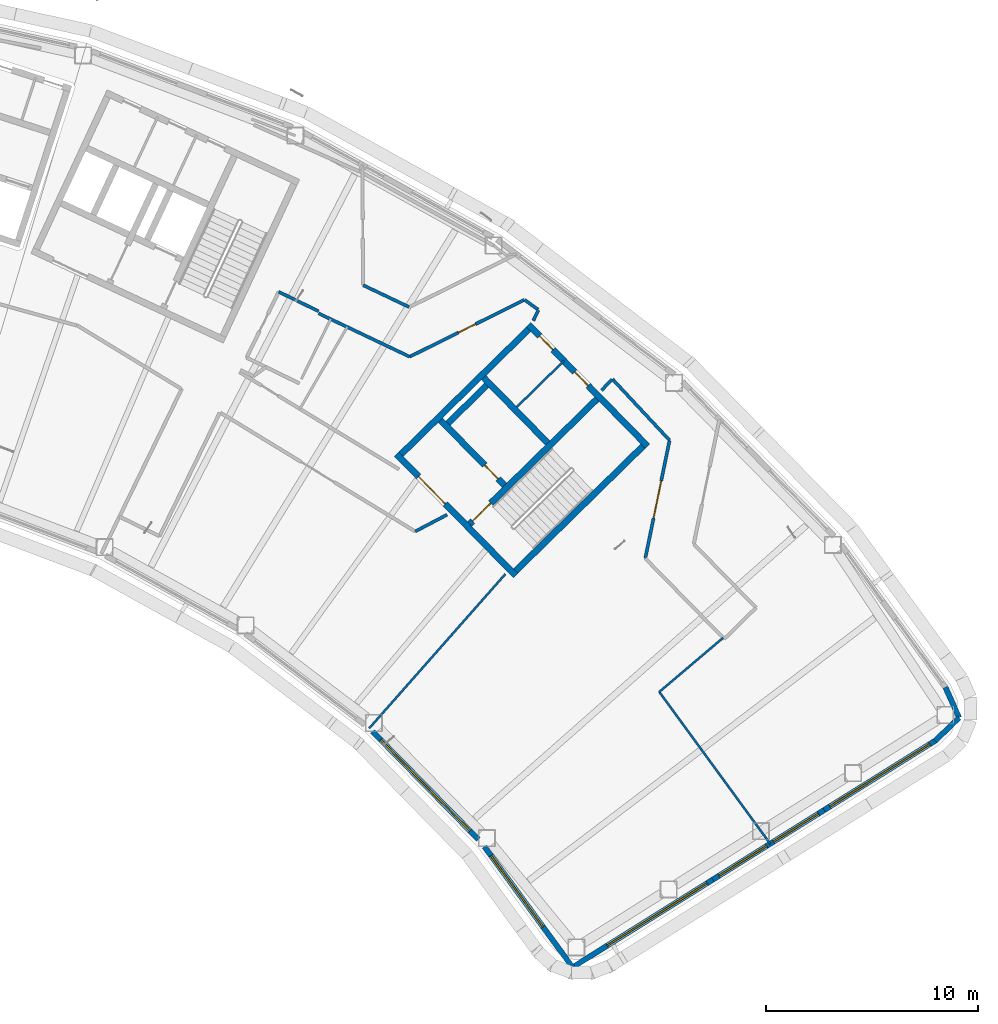
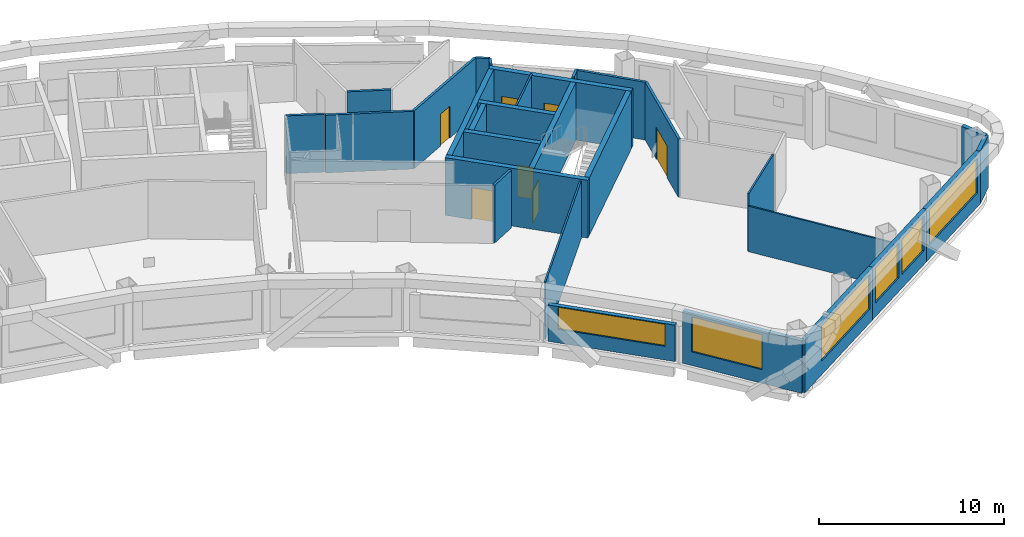
# One storey, part 8 of 21: 29 walls, 7 doors, 6 windows, 13 openings.
"""IFC4 building model written with IfcOpenShell, lengths in metres."""

from ifc_helpers import new_model, si_unit, direction, frame, frame_2d, origin, place, context, subcontext, project, spatial, rectangle, extrude, material, layer, layer_set, type_object, element, fill, save


model = new_model("IFC4")

# Units and contexts
model_context = context("Model", 3, precision=1e-05, world=origin(), true_north=direction((0.0, 1.0)))
body_context = subcontext(model_context, "Body", "Model", "MODEL_VIEW")
ifc_project = project(units=[si_unit("LENGTHUNIT", "METRE"), si_unit("AREAUNIT", "SQUARE_METRE"), si_unit("VOLUMEUNIT", "CUBIC_METRE"), si_unit("PLANEANGLEUNIT", "RADIAN"), si_unit("MASSUNIT", "GRAM", prefix="KILO")], contexts=[model_context])

# Site, building, storey
site_placement = place(None, origin())
site = spatial("IfcSite", under=ifc_project, at=site_placement, CompositionType="ELEMENT")
building_placement = place(site_placement, origin())
building = spatial("IfcBuilding", under=site, at=building_placement, Name="Tuul Gate Civic Tower", CompositionType="ELEMENT")
storey_placement = place(building_placement, frame((0.0, 0.0, 311.0)))
storey = spatial("IfcBuildingStorey", under=building, at=storey_placement, Name="Level 70", CompositionType="ELEMENT", Elevation=311.0)

# Wall, opening, door
ifc_material_1 = material(Name="Concrete C50/60", Category="concrete")
ifc_layer_1 = layer(ifc_material_1, 0.300048828125)
ifc_layer_set_1 = layer_set([ifc_layer_1], Name="Concrete C50/60")
wall_type_1 = type_object("IfcWallType", Name="Core wall C50/60", PredefinedType="SHEAR", material=ifc_layer_set_1)
wall_1_placement = place(storey_placement, frame((48.22509765625, -18.327880859375, 0.0), z_axis=(0.0, 0.0, 1.0), x_axis=(-0.700021979774, 0.714121297703, 0.0)))
wall_1 = element("IfcWall", 1, at=wall_1_placement, inside=storey, type_object=wall_type_1, Name="Core wall", PredefinedType="SHEAR", context=body_context, shape_type="SweptSolid", body=[
    extrude(rectangle(XDim=8.0, YDim=0.300048828125, at=frame_2d((4.0, 0.0))), origin(), (0.0, 0.0, 1.0), 3.800048828125),
])
opening_1_placement = place(wall_1_placement, frame((4.72509765625, 0.0, 0.0)))
opening_1 = element("IfcOpeningElement", 2, at=opening_1_placement, cuts=wall_1, Name="Opening LB-E1-LOBBY-1", PredefinedType="OPENING", context=body_context, shape_type="SweptSolid", body=[
    extrude(rectangle(XDim=1.800048828125, YDim=2.10009765625, at=frame_2d((0.89990234375, 1.050048828125))), frame((0.0, 0.16015625, 0.0), z_axis=(0.0, -1.0, 0.0), x_axis=(1.0, 0.0, 0.0)), (0.0, 0.0, 1.0), 0.320068359375),
])
ifc_material_2 = material(Name="Steel", Category="steel")
door_type_1 = type_object("IfcDoorType", Name="Lobby door", OperationType="DOUBLE_DOOR_SINGLE_SWING", PredefinedType="DOOR", material=ifc_material_2)
door_1_placement = place(opening_1_placement, frame((1.800048828125, 0.0, 0.0), z_axis=(0.0, 0.0, 1.0), x_axis=(-1.0, 0.0, 0.0)))
door_1 = element("IfcDoor", 3, at=door_1_placement, inside=storey, type_object=door_type_1, Name="Lobby door E1-LOBBY", OperationType="DOUBLE_DOOR_SINGLE_SWING", OverallHeight=2.10009765625, OverallWidth=1.800048828125, PredefinedType="DOOR", context=body_context, shape_type="SweptSolid", body=[
    extrude(rectangle(XDim=1.800048828125, YDim=2.10009765625, at=frame_2d((0.900146484375, 1.050048828125))), frame((0.0, 0.02490234375, 0.0), z_axis=(0.0, -1.0, 0.0), x_axis=(1.0, 0.0, 0.0)), (0.0, 0.0, 1.0), 0.050048828125),
])
fill(opening_1, door_1)

wall_2_placement = place(storey_placement, frame((47.701904296875, -14.079833984375, 0.0), z_axis=(0.0, 0.0, 1.0), x_axis=(-0.700002721075, 0.714140175657, 0.0)))
wall_2 = element("IfcWall", 4, at=wall_2_placement, inside=storey, type_object=wall_type_1, Name="Core wall", PredefinedType="SHEAR", context=body_context, shape_type="SweptSolid", body=[
    extrude(rectangle(XDim=4.300048828125, YDim=0.300048828125, at=frame_2d((2.14990234375, 0.0))), origin(), (0.0, 0.0, 1.0), 3.800048828125),
])
opening_2_placement = place(wall_2_placement, frame((0.425048828125, 0.0, 0.0)))
opening_2 = element("IfcOpeningElement", 5, at=opening_2_placement, cuts=wall_2, Name="Opening FB-E1A1", PredefinedType="OPENING", context=body_context, shape_type="SweptSolid", body=[
    extrude(rectangle(XDim=0.89990234375, YDim=2.10009765625, at=frame_2d((0.449951171875, 1.050048828125))), frame((0.0, 0.16015625, 0.0), z_axis=(0.0, -1.0, 0.0), x_axis=(1.0, 0.0, 0.0)), (0.0, 0.0, 1.0), 0.320068359375),
])
ifc_material_3 = material(Name="Steel", Category="steel")
door_type_2 = type_object("IfcDoorType", Name="Store door", OperationType="NOTDEFINED", PredefinedType="DOOR", material=ifc_material_3)
door_2_placement = place(opening_2_placement, frame((0.89990234375, 0.0, 0.0), z_axis=(0.0, 0.0, 1.0), x_axis=(-1.0, 0.0, 0.0)))
door_2 = element("IfcDoor", 6, at=door_2_placement, inside=storey, type_object=door_type_2, Name="Store door E1A1", OperationType="SINGLE_SWING_RIGHT", OverallHeight=2.10009765625, OverallWidth=0.89990234375, PredefinedType="DOOR", context=body_context, shape_type="SweptSolid", body=[
    extrude(rectangle(XDim=0.89990234375, YDim=2.10009765625, at=frame_2d((0.449951171875, 1.050048828125))), frame((0.0, 0.02490234375, 0.0), z_axis=(0.0, -1.0, 0.0), x_axis=(1.0, 0.0, 0.0)), (0.0, 0.0, 1.0), 0.050048828125),
])
fill(opening_2, door_2)

# Wall
wall_3_placement = place(storey_placement, frame((49.737060546875, -12.0849609375, 0.0), z_axis=(0.0, 0.0, 1.0), x_axis=(-0.700002721075, 0.714140175657, 0.0)))
element("IfcWall", 7, at=wall_3_placement, inside=storey, type_object=wall_type_1, Name="Core wall", PredefinedType="SHEAR", context=body_context, shape_type="SweptSolid", body=[
    extrude(rectangle(XDim=4.300048828125, YDim=0.300048828125, at=frame_2d((2.14990234375, 0.0))), origin(), (0.0, 0.0, 1.0), 3.800048828125),
])

# Wall, openings, doors
wall_4_placement = place(storey_placement, frame((54.43798828125, -12.23779296875, 0.0), z_axis=(0.0, 0.0, 1.0), x_axis=(-0.700021979774, 0.714121297703, 0.0)))
wall_4 = element("IfcWall", 8, at=wall_4_placement, inside=storey, type_object=wall_type_1, Name="Core wall", PredefinedType="SHEAR", context=body_context, shape_type="SweptSolid", body=[
    extrude(rectangle(XDim=8.0, YDim=0.300048828125, at=frame_2d((4.0, 0.0))), origin(), (0.0, 0.0, 1.0), 3.800048828125),
])
opening_3_placement = place(wall_4_placement, frame((3.987548828125, 0.0, 0.0)))
opening_3 = element("IfcOpeningElement", 9, at=opening_3_placement, cuts=wall_4, Name="Opening Z-D16", PredefinedType="OPENING", context=body_context, shape_type="SweptSolid", body=[
    extrude(rectangle(XDim=0.89990234375, YDim=2.10009765625, at=frame_2d((0.449951171875, 1.050048828125))), frame((0.0, 0.16015625, 0.0), z_axis=(0.0, -1.0, 0.0), x_axis=(1.0, 0.0, 0.0)), (0.0, 0.0, 1.0), 0.320068359375),
])
opening_4_placement = place(wall_4_placement, frame((6.362548828125, 0.0, 0.0)))
opening_4 = element("IfcOpeningElement", 10, at=opening_4_placement, cuts=wall_4, Name="Opening Z-D17", PredefinedType="OPENING", context=body_context, shape_type="SweptSolid", body=[
    extrude(rectangle(XDim=0.89990234375, YDim=2.10009765625, at=frame_2d((0.449951171875, 1.050048828125))), frame((0.0, 0.16015625, 0.0), z_axis=(0.0, -1.0, 0.0), x_axis=(1.0, 0.0, 0.0)), (0.0, 0.0, 1.0), 0.320068359375),
])
ifc_material_4 = material(Name="Timber door leaf", Category="wood")
door_type_3 = type_object("IfcDoorType", Name="Door D09", OperationType="NOTDEFINED", PredefinedType="DOOR", material=ifc_material_4)
door_3_placement = place(opening_3_placement, origin())
door_3 = element("IfcDoor", 11, at=door_3_placement, inside=storey, type_object=door_type_3, Name="Door Z-D16", OperationType="SINGLE_SWING_LEFT", OverallHeight=2.10009765625, OverallWidth=0.89990234375, PredefinedType="DOOR", context=body_context, shape_type="SweptSolid", body=[
    extrude(rectangle(XDim=0.89990234375, YDim=2.10009765625, at=frame_2d((0.449951171875, 1.050048828125))), frame((0.0, 0.02490234375, 0.0), z_axis=(0.0, -1.0, 0.0), x_axis=(1.0, 0.0, 0.0)), (0.0, 0.0, 1.0), 0.050048828125),
])
fill(opening_3, door_3)
door_4_placement = place(opening_4_placement, origin())
door_4 = element("IfcDoor", 12, at=door_4_placement, inside=storey, type_object=door_type_3, Name="Door Z-D17", OperationType="SINGLE_SWING_LEFT", OverallHeight=2.10009765625, OverallWidth=0.89990234375, PredefinedType="DOOR", context=body_context, shape_type="SweptSolid", body=[
    extrude(rectangle(XDim=0.89990234375, YDim=2.10009765625, at=frame_2d((0.449951171875, 1.050048828125))), frame((0.0, 0.02490234375, 0.0), z_axis=(0.0, -1.0, 0.0), x_axis=(1.0, 0.0, 0.0)), (0.0, 0.0, 1.0), 0.050048828125),
])
fill(opening_4, door_4)

# Wall
wall_5_placement = place(storey_placement, frame((48.227294921875, -18.115966796875, 0.0), z_axis=(0.0, 0.0, 1.0), x_axis=(0.714105315431, 0.700038283577, 0.0)))
element("IfcWall", 13, at=wall_5_placement, inside=storey, type_object=wall_type_1, Name="Core wall", PredefinedType="SHEAR", context=body_context, shape_type="SweptSolid", body=[
    extrude(rectangle(XDim=8.400146484375, YDim=0.300048828125, at=frame_2d((4.2001953125, 0.0))), origin(), (0.0, 0.0, 1.0), 3.800048828125),
])

# Wall, opening, door
wall_6_placement = place(storey_placement, frame((46.05712890625, -15.902099609375, 0.0), z_axis=(0.0, 0.0, 1.0), x_axis=(0.714134086973, 0.700008932674, 0.0)))
wall_6 = element("IfcWall", 14, at=wall_6_placement, inside=storey, type_object=wall_type_1, Name="Core wall", PredefinedType="SHEAR", context=body_context, shape_type="SweptSolid", body=[
    extrude(rectangle(XDim=8.400146484375, YDim=0.300048828125, at=frame_2d((4.2001953125, 0.0))), origin(), (0.0, 0.0, 1.0), 3.800048828125),
])
opening_5_placement = place(wall_6_placement, frame((0.199951171875, 0.0, 0.0)))
opening_5 = element("IfcOpeningElement", 15, at=opening_5_placement, cuts=wall_6, Name="Opening SD-ST-3", PredefinedType="OPENING", context=body_context, shape_type="SweptSolid", body=[
    extrude(rectangle(XDim=1.199951171875, YDim=2.10009765625, at=frame_2d((0.60009765625, 1.050048828125))), frame((0.0, 0.16015625, 0.0), z_axis=(0.0, -1.0, 0.0), x_axis=(1.0, 0.0, 0.0)), (0.0, 0.0, 1.0), 0.320068359375),
])
ifc_material_5 = material(Name="Steel", Category="steel")
door_type_4 = type_object("IfcDoorType", Name="Stair door", OperationType="NOTDEFINED", PredefinedType="DOOR", material=ifc_material_5)
door_5_placement = place(opening_5_placement, origin())
door_5 = element("IfcDoor", 16, at=door_5_placement, inside=storey, type_object=door_type_4, Name="Stair door ST-3", OperationType="SINGLE_SWING_LEFT", OverallHeight=2.10009765625, OverallWidth=1.199951171875, PredefinedType="DOOR", context=body_context, shape_type="SweptSolid", body=[
    extrude(rectangle(XDim=1.199951171875, YDim=2.10009765625, at=frame_2d((0.60009765625, 1.050048828125))), frame((0.0, 0.02490234375, 0.0), z_axis=(0.0, -1.0, 0.0), x_axis=(1.0, 0.0, 0.0)), (0.0, 0.0, 1.0), 0.050048828125),
])
fill(opening_5, door_5)

# Walls
wall_7_placement = place(storey_placement, frame((45.0439453125, -11.154052734375, 0.0), z_axis=(0.0, 0.0, 1.0), x_axis=(0.714108498262, 0.700035036773, 0.0)))
element("IfcWall", 17, at=wall_7_placement, inside=storey, type_object=wall_type_1, Name="Core wall", PredefinedType="SHEAR", context=body_context, shape_type="SweptSolid", body=[
    extrude(rectangle(XDim=2.550048828125, YDim=0.300048828125, at=frame_2d((1.27490234375, 0.0))), origin(), (0.0, 0.0, 1.0), 3.800048828125),
])
wall_8_placement = place(storey_placement, frame((42.837158203125, -12.616943359375, 0.0), z_axis=(0.0, 0.0, 1.0), x_axis=(0.714119844755, 0.700023461983, 0.0)))
element("IfcWall", 18, at=wall_8_placement, inside=storey, type_object=wall_type_1, Name="Core wall", PredefinedType="SHEAR", context=body_context, shape_type="SweptSolid", body=[
    extrude(rectangle(XDim=8.39990234375, YDim=0.300048828125, at=frame_2d((4.199951171875, 0.0))), origin(), (0.0, 0.0, 1.0), 3.800048828125),
])
ifc_material_6 = material(Name="Gypsum board partition")
ifc_layer_2 = layer(ifc_material_6, 0.14990234375)
ifc_layer_set_2 = layer_set([ifc_layer_2], Name="Gypsum board partition")
wall_type_2 = type_object("IfcWallType", Name="Corridor wall P150", PredefinedType="PARTITIONING", material=ifc_layer_set_2)
wall_9_placement = place(storey_placement, frame((41.05419921875, -4.66064453125, 0.0), z_axis=(0.0, 0.0, 1.0), x_axis=(0.90300403406, -0.429632068718, 0.0)))
element("IfcWall", 19, at=wall_9_placement, inside=storey, type_object=wall_type_2, Name="p009", PredefinedType="PARTITIONING", context=body_context, shape_type="SweptSolid", body=[
    extrude(rectangle(XDim=2.388916015625, YDim=0.14990234375, at=frame_2d((1.1943359375, 0.0))), origin(), (0.0, 0.0, 1.0), 3.800048828125),
])
wall_10_placement = place(storey_placement, frame((52.277099609375, -9.60498046875, 0.0), z_axis=(0.0, 0.0, 1.0), x_axis=(0.690092053867, 0.723721601992, 0.0)))
element("IfcWall", 20, at=wall_10_placement, inside=storey, type_object=wall_type_2, Name="p025", PredefinedType="PARTITIONING", context=body_context, shape_type="SweptSolid", body=[
    extrude(rectangle(XDim=0.71142578125, YDim=0.14990234375, at=frame_2d((0.355712890625, 0.0))), origin(), (0.0, 0.0, 1.0), 3.800048828125),
])
wall_11_placement = place(storey_placement, frame((52.793701171875, -9.0869140625, 0.0), z_axis=(0.0, 0.0, 1.0), x_axis=(0.682154101609, -0.731208439268, 0.0)))
element("IfcWall", 21, at=wall_11_placement, inside=storey, type_object=wall_type_2, Name="p026", PredefinedType="PARTITIONING", context=body_context, shape_type="SweptSolid", body=[
    extrude(rectangle(XDim=3.921875, YDim=0.14990234375, at=frame_2d((1.9609375, 0.0))), origin(), (0.0, 0.0, 1.0), 3.800048828125),
])

# Wall, opening, door
wall_12_placement = place(storey_placement, frame((54.33251953125, -17.521240234375, 0.0), z_axis=(0.0, 0.0, 1.0), x_axis=(0.201533742517, 0.979481572378, 0.0)))
wall_12 = element("IfcWall", 22, at=wall_12_placement, inside=storey, type_object=wall_type_2, Name="p027", PredefinedType="PARTITIONING", context=body_context, shape_type="SweptSolid", body=[
    extrude(rectangle(XDim=5.66455078125, YDim=0.14990234375, at=frame_2d((2.832275390625, 0.0))), origin(), (0.0, 0.0, 1.0), 3.800048828125),
])
opening_6_placement = place(wall_12_placement, frame((1.932373046875, 0.0, 0.0)))
opening_6 = element("IfcOpeningElement", 23, at=opening_6_placement, cuts=wall_12, Name="Opening Z-D05", PredefinedType="OPENING", context=body_context, shape_type="SweptSolid", body=[
    extrude(rectangle(XDim=1.800048828125, YDim=2.10009765625, at=frame_2d((0.89990234375, 1.050048828125))), frame((0.0, 0.0849609375, 0.0), z_axis=(0.0, -1.0, 0.0), x_axis=(1.0, 0.0, 0.0)), (0.0, 0.0, 1.0), 0.169921875),
])
ifc_material_7 = material(Name="Timber door leaf, double", Category="wood")
door_type_5 = type_object("IfcDoorType", Name="Door D18", OperationType="DOUBLE_DOOR_SINGLE_SWING", PredefinedType="DOOR", material=ifc_material_7)
door_6_placement = place(opening_6_placement, origin())
door_6 = element("IfcDoor", 24, at=door_6_placement, inside=storey, type_object=door_type_5, Name="Door Z-D05", OperationType="DOUBLE_DOOR_SINGLE_SWING", OverallHeight=2.10009765625, OverallWidth=1.800048828125, PredefinedType="DOOR", context=body_context, shape_type="SweptSolid", body=[
    extrude(rectangle(XDim=1.800048828125, YDim=2.10009765625, at=frame_2d((0.89990234375, 1.050048828125))), frame((0.0, 0.02490234375, 0.0), z_axis=(0.0, -1.0, 0.0), x_axis=(1.0, 0.0, 0.0)), (0.0, 0.0, 1.0), 0.050048828125),
])
fill(opening_6, door_6)

# Walls
wall_13_placement = place(storey_placement, frame((43.5, -16.251708984375, 0.0), z_axis=(0.0, 0.0, 1.0), x_axis=(0.885571552958, 0.464502986634, 0.0)))
element("IfcWall", 25, at=wall_13_placement, inside=storey, type_object=wall_type_2, Name="p035", PredefinedType="PARTITIONING", context=body_context, shape_type="SweptSolid", body=[
    extrude(rectangle(XDim=1.69189453125, YDim=0.14990234375, at=frame_2d((0.845947265625, 0.0))), origin(), (0.0, 0.0, 1.0), 3.800048828125),
])
wall_14_placement = place(storey_placement, frame((38.94873046875, -5.984619140625, 0.0), z_axis=(0.0, 0.0, 1.0), x_axis=(0.903011478969, -0.429616420602, 0.0)))
element("IfcWall", 26, at=wall_14_placement, inside=storey, type_object=wall_type_2, Name="p072", PredefinedType="PARTITIONING", context=body_context, shape_type="SweptSolid", body=[
    extrude(rectangle(XDim=4.75146484375, YDim=0.14990234375, at=frame_2d((2.375732421875, 0.0))), origin(), (0.0, 0.0, 1.0), 3.800048828125),
])

# Wall, opening, door
wall_15_placement = place(storey_placement, frame((43.2392578125, -8.02587890625, 0.0), z_axis=(0.0, 0.0, 1.0), x_axis=(0.896073728546, 0.443905252289, 0.0)))
wall_15 = element("IfcWall", 27, at=wall_15_placement, inside=storey, type_object=wall_type_2, Name="p073", PredefinedType="PARTITIONING", context=body_context, shape_type="SweptSolid", body=[
    extrude(rectangle(XDim=6.02734375, YDim=0.14990234375, at=frame_2d((3.013671875, 0.0))), origin(), (0.0, 0.0, 1.0), 3.800048828125),
])
opening_7_placement = place(wall_15_placement, frame((2.563720703125, 0.0, 0.0)))
opening_7 = element("IfcOpeningElement", 28, at=opening_7_placement, cuts=wall_15, Name="Opening Z-D11", PredefinedType="OPENING", context=body_context, shape_type="SweptSolid", body=[
    extrude(rectangle(XDim=0.89990234375, YDim=2.10009765625, at=frame_2d((0.449951171875, 1.050048828125))), frame((0.0, 0.0849609375, 0.0), z_axis=(0.0, -1.0, 0.0), x_axis=(1.0, 0.0, 0.0)), (0.0, 0.0, 1.0), 0.169921875),
])
door_7_placement = place(opening_7_placement, frame((0.89990234375, 0.0, 0.0), z_axis=(0.0, 0.0, 1.0), x_axis=(-1.0, 0.0, 0.0)))
door_7 = element("IfcDoor", 29, at=door_7_placement, inside=storey, type_object=door_type_3, Name="Door Z-D11", OperationType="SINGLE_SWING_LEFT", OverallHeight=2.10009765625, OverallWidth=0.89990234375, PredefinedType="DOOR", context=body_context, shape_type="SweptSolid", body=[
    extrude(rectangle(XDim=0.89990234375, YDim=2.10009765625, at=frame_2d((0.449951171875, 1.050048828125))), frame((0.0, 0.02490234375, 0.0), z_axis=(0.0, -1.0, 0.0), x_axis=(1.0, 0.0, 0.0)), (0.0, 0.0, 1.0), 0.050048828125),
])
fill(opening_7, door_7)

# Walls
wall_16_placement = place(storey_placement, frame((48.658203125, -5.353515625, 0.0), z_axis=(0.0, 0.0, 1.0), x_axis=(0.811093197779, -0.584916938135, 0.0)))
element("IfcWall", 30, at=wall_16_placement, inside=storey, type_object=wall_type_2, Name="p074", PredefinedType="PARTITIONING", context=body_context, shape_type="SweptSolid", body=[
    extrude(rectangle(XDim=0.777099609375, YDim=0.14990234375, at=frame_2d((0.388671875, 0.0))), origin(), (0.0, 0.0, 1.0), 3.800048828125),
])
wall_17_placement = place(storey_placement, frame((49.062255859375, -6.325439453125, 0.0), z_axis=(0.0, 0.0, 1.0), x_axis=(0.427912804377, 0.903820021824, 0.0)))
element("IfcWall", 31, at=wall_17_placement, inside=storey, type_object=wall_type_2, Name="p075", PredefinedType="PARTITIONING", context=body_context, shape_type="SweptSolid", body=[
    extrude(rectangle(XDim=0.544189453125, YDim=0.14990234375, at=frame_2d((0.27197265625, 0.0))), origin(), (0.0, 0.0, 1.0), 3.800048828125),
])
wall_18_placement = place(storey_placement, frame((37.07275390625, -4.969482421875, 0.0), z_axis=(0.0, 0.0, 1.0), x_axis=(0.898783062939, -0.4383936653, 0.0)))
element("IfcWall", 32, at=wall_18_placement, inside=storey, type_object=wall_type_2, Name="p078", PredefinedType="PARTITIONING", context=body_context, shape_type="SweptSolid", body=[
    extrude(rectangle(XDim=2.086669921875, YDim=0.14990234375, at=frame_2d((1.04345703125, 0.0))), origin(), (0.0, 0.0, 1.0), 3.800048828125),
])
ifc_material_8 = material(Name="Precast concrete C40/50", Category="concrete")
ifc_layer_3 = layer(ifc_material_8, 0.25)
ifc_layer_set_3 = layer_set([ifc_layer_3], Name="Precast concrete C40/50")
wall_type_3 = type_object("IfcWallType", Name="External wall", PredefinedType="STANDARD", material=ifc_layer_set_3)
wall_19_placement = place(storey_placement, frame((67.978515625, -26.109619140625, 0.0), z_axis=(0.0, 0.0, 1.0), x_axis=(0.722172557321, 0.691712944402, 0.0)))
element("IfcWall", 33, at=wall_19_placement, inside=storey, type_object=wall_type_3, Name="External wall", PredefinedType="STANDARD", context=body_context, shape_type="SweptSolid", body=[
    extrude(rectangle(XDim=1.571044921875, YDim=0.25, at=frame_2d((0.78564453125, 0.0))), origin(), (0.0, 0.0, 1.0), 3.449951171875),
])
wall_20_placement = place(storey_placement, frame((69.113037109375, -25.02294921875, 0.0), z_axis=(0.0, 0.0, 1.0), x_axis=(-0.412385905797, 0.9110092561, 0.0)))
element("IfcWall", 34, at=wall_20_placement, inside=storey, type_object=wall_type_3, Name="External wall", PredefinedType="STANDARD", context=body_context, shape_type="SweptSolid", body=[
    extrude(rectangle(XDim=1.5712890625, YDim=0.25, at=frame_2d((0.78564453125, 0.0))), origin(), (0.0, 0.0, 1.0), 3.449951171875),
])

# Wall, opening, window
wall_21_placement = place(storey_placement, frame((46.7587890625, -31.093017578125, 0.0), z_axis=(0.0, 0.0, 1.0), x_axis=(0.589839929294, -0.807520190343, 0.0)))
wall_21 = element("IfcWall", 35, at=wall_21_placement, inside=storey, type_object=wall_type_3, Name="External wall", PredefinedType="STANDARD", context=body_context, shape_type="SweptSolid", body=[
    extrude(rectangle(XDim=7.034423828125, YDim=0.25, at=frame_2d((3.51708984375, 0.0))), origin(), (0.0, 0.0, 1.0), 3.449951171875),
])
opening_8_placement = place(wall_21_placement, frame((0.52783203125, 0.0, 0.89990234375)))
opening_8 = element("IfcOpeningElement", 36, at=opening_8_placement, cuts=wall_21, Name="Opening W25", PredefinedType="OPENING", context=body_context, shape_type="SweptSolid", body=[
    extrude(rectangle(XDim=4.14990234375, YDim=2.300048828125, at=frame_2d((2.074951171875, 1.14990234375))), frame((0.0, 0.135009765625, 0.0), z_axis=(0.0, -1.0, 0.0), x_axis=(1.0, 0.0, 0.0)), (0.0, 0.0, 1.0), 0.27001953125),
])
ifc_material_9 = material(Name="Glass", Category="glass")
window_type_1 = type_object("IfcWindowType", Name="Window W25 4150 x 2300", PartitioningType="SINGLE_PANEL", PredefinedType="WINDOW", material=ifc_material_9)
window_1_placement = place(opening_8_placement, origin())
window_1 = element("IfcWindow", 37, at=window_1_placement, inside=storey, type_object=window_type_1, Name="Window", OverallHeight=2.300048828125, OverallWidth=4.14990234375, PartitioningType="SINGLE_PANEL", PredefinedType="WINDOW", context=body_context, shape_type="SweptSolid", body=[
    extrude(rectangle(XDim=4.14990234375, YDim=2.300048828125, at=frame_2d((2.074951171875, 1.14990234375))), frame((0.0, 0.030029296875, 0.0), z_axis=(0.0, -1.0, 0.0), x_axis=(1.0, 0.0, 0.0)), (0.0, 0.0, 1.0), 0.06005859375),
])
fill(opening_8, window_1)

wall_22_placement = place(storey_placement, frame((50.907958984375, -36.7734375, 0.0), z_axis=(0.0, 0.0, 1.0), x_axis=(0.848052898081, 0.529911579471, 0.0)))
wall_22 = element("IfcWall", 38, at=wall_22_placement, inside=storey, type_object=wall_type_3, Name="External wall", PredefinedType="STANDARD", context=body_context, shape_type="SweptSolid", body=[
    extrude(rectangle(XDim=7.78759765625, YDim=0.25, at=frame_2d((3.893798828125, 0.0))), origin(), (0.0, 0.0, 1.0), 3.449951171875),
])
opening_9_placement = place(wall_22_placement, frame((1.921142578125, 0.0, 0.89990234375)))
opening_9 = element("IfcOpeningElement", 39, at=opening_9_placement, cuts=wall_22, Name="Opening W24", PredefinedType="OPENING", context=body_context, shape_type="SweptSolid", body=[
    extrude(rectangle(XDim=5.550048828125, YDim=2.300048828125, at=frame_2d((2.77490234375, 1.14990234375))), frame((0.0, 0.135009765625, 0.0), z_axis=(0.0, -1.0, 0.0), x_axis=(1.0, 0.0, 0.0)), (0.0, 0.0, 1.0), 0.27001953125),
])
ifc_material_10 = material(Name="Glass", Category="glass")
window_type_2 = type_object("IfcWindowType", Name="Window W24 5550 x 2300", PartitioningType="SINGLE_PANEL", PredefinedType="WINDOW", material=ifc_material_10)
window_2_placement = place(opening_9_placement, origin())
window_2 = element("IfcWindow", 40, at=window_2_placement, inside=storey, type_object=window_type_2, Name="Window", OverallHeight=2.300048828125, OverallWidth=5.550048828125, PartitioningType="SINGLE_PANEL", PredefinedType="WINDOW", context=body_context, shape_type="SweptSolid", body=[
    extrude(rectangle(XDim=5.550048828125, YDim=2.300048828125, at=frame_2d((2.77490234375, 1.14990234375))), frame((0.0, 0.030029296875, 0.0), z_axis=(0.0, -1.0, 0.0), x_axis=(1.0, 0.0, 0.0)), (0.0, 0.0, 1.0), 0.06005859375),
])
fill(opening_9, window_2)

# Wall, openings, windows
wall_23_placement = place(storey_placement, frame((57.51220703125, -32.646728515625, 0.0), z_axis=(0.0, 0.0, 1.0), x_axis=(0.848042669488, 0.529927948619, 0.0)))
wall_23 = element("IfcWall", 41, at=wall_23_placement, inside=storey, type_object=wall_type_3, Name="External wall", PredefinedType="STANDARD", context=body_context, shape_type="SweptSolid", body=[
    extrude(rectangle(XDim=6.1826171875, YDim=0.25, at=frame_2d((3.09130859375, 0.0))), origin(), (0.0, 0.0, 1.0), 3.449951171875),
])
opening_10_placement = place(wall_23_placement, frame((0.339111328125, 0.0, 0.89990234375)))
opening_10 = element("IfcOpeningElement", 42, at=opening_10_placement, cuts=wall_23, Name="Opening W37", PredefinedType="OPENING", context=body_context, shape_type="SweptSolid", body=[
    extrude(rectangle(XDim=2.64990234375, YDim=2.300048828125, at=frame_2d((1.324951171875, 1.14990234375))), frame((0.0, 0.135009765625, 0.0), z_axis=(0.0, -1.0, 0.0), x_axis=(1.0, 0.0, 0.0)), (0.0, 0.0, 1.0), 0.27001953125),
])
opening_11_placement = place(wall_23_placement, frame((3.3642578125, 0.0, 0.89990234375)))
opening_11 = element("IfcOpeningElement", 43, at=opening_11_placement, cuts=wall_23, Name="Opening W38", PredefinedType="OPENING", context=body_context, shape_type="SweptSolid", body=[
    extrude(rectangle(XDim=2.5, YDim=2.300048828125, at=frame_2d((1.25, 1.14990234375))), frame((0.0, 0.135009765625, 0.0), z_axis=(0.0, -1.0, 0.0), x_axis=(1.0, 0.0, 0.0)), (0.0, 0.0, 1.0), 0.27001953125),
])
ifc_material_11 = material(Name="Glass", Category="glass")
window_type_3 = type_object("IfcWindowType", Name="Window 2500 x 2300", PartitioningType="SINGLE_PANEL", PredefinedType="WINDOW", material=ifc_material_11)
window_3_placement = place(opening_11_placement, origin())
window_3 = element("IfcWindow", 44, at=window_3_placement, inside=storey, type_object=window_type_3, Name="Window", OverallHeight=2.300048828125, OverallWidth=2.5, PartitioningType="SINGLE_PANEL", PredefinedType="WINDOW", context=body_context, shape_type="SweptSolid", body=[
    extrude(rectangle(XDim=2.5, YDim=2.300048828125, at=frame_2d((1.25, 1.14990234375))), frame((0.0, 0.030029296875, 0.0), z_axis=(0.0, -1.0, 0.0), x_axis=(1.0, 0.0, 0.0)), (0.0, 0.0, 1.0), 0.06005859375),
])
fill(opening_11, window_3)
ifc_material_12 = material(Name="Glass", Category="glass")
window_type_4 = type_object("IfcWindowType", Name="Window 2650 x 2300", PartitioningType="SINGLE_PANEL", PredefinedType="WINDOW", material=ifc_material_12)
window_4_placement = place(opening_10_placement, origin())
window_4 = element("IfcWindow", 45, at=window_4_placement, inside=storey, type_object=window_type_4, Name="Window", OverallHeight=2.300048828125, OverallWidth=2.64990234375, PartitioningType="SINGLE_PANEL", PredefinedType="WINDOW", context=body_context, shape_type="SweptSolid", body=[
    extrude(rectangle(XDim=2.64990234375, YDim=2.300048828125, at=frame_2d((1.324951171875, 1.14990234375))), frame((0.0, 0.030029296875, 0.0), z_axis=(0.0, -1.0, 0.0), x_axis=(1.0, 0.0, 0.0)), (0.0, 0.0, 1.0), 0.06005859375),
])
fill(opening_10, window_4)

# Wall, opening, window
wall_24_placement = place(storey_placement, frame((62.75537109375, -29.370361328125, 0.0), z_axis=(0.0, 0.0, 1.0), x_axis=(0.848053758074, 0.529910203164, 0.0)))
wall_24 = element("IfcWall", 46, at=wall_24_placement, inside=storey, type_object=wall_type_3, Name="External wall", PredefinedType="STANDARD", context=body_context, shape_type="SweptSolid", body=[
    extrude(rectangle(XDim=6.182861328125, YDim=0.25, at=frame_2d((3.09130859375, 0.0))), origin(), (0.0, 0.0, 1.0), 3.449951171875),
])
opening_12_placement = place(wall_24_placement, frame((0.31640625, 0.0, 0.89990234375)))
opening_12 = element("IfcOpeningElement", 47, at=opening_12_placement, cuts=wall_24, Name="Opening W24", PredefinedType="OPENING", context=body_context, shape_type="SweptSolid", body=[
    extrude(rectangle(XDim=5.550048828125, YDim=2.300048828125, at=frame_2d((2.77490234375, 1.14990234375))), frame((0.0, 0.135009765625, 0.0), z_axis=(0.0, -1.0, 0.0), x_axis=(1.0, 0.0, 0.0)), (0.0, 0.0, 1.0), 0.27001953125),
])
window_5_placement = place(opening_12_placement, origin())
window_5 = element("IfcWindow", 48, at=window_5_placement, inside=storey, type_object=window_type_2, Name="Window", OverallHeight=2.300048828125, OverallWidth=5.550048828125, PartitioningType="SINGLE_PANEL", PredefinedType="WINDOW", context=body_context, shape_type="SweptSolid", body=[
    extrude(rectangle(XDim=5.550048828125, YDim=2.300048828125, at=frame_2d((2.77490234375, 1.14990234375))), frame((0.0, 0.030029296875, 0.0), z_axis=(0.0, -1.0, 0.0), x_axis=(1.0, 0.0, 0.0)), (0.0, 0.0, 1.0), 0.06005859375),
])
fill(opening_12, window_5)

ifc_material_13 = material(Name="Precast concrete C40/50", Category="concrete")
ifc_layer_4 = layer(ifc_material_13, 0.25)
ifc_layer_set_4 = layer_set([ifc_layer_4], Name="Precast concrete C40/50")
wall_type_4 = type_object("IfcWallType", Name="External wall 2400 HIGH", PredefinedType="STANDARD", material=ifc_layer_set_4)
wall_25_placement = place(storey_placement, frame((41.49072265625, -25.6708984375, 0.0), z_axis=(0.0, 0.0, 1.0), x_axis=(0.700033997015, -0.714109517528, 0.0)))
wall_25 = element("IfcWall", 49, at=wall_25_placement, inside=storey, type_object=wall_type_4, Name="External wall", PredefinedType="STANDARD", context=body_context, shape_type="SweptSolid", body=[
    extrude(rectangle(XDim=7.111572265625, YDim=0.25, at=frame_2d((3.5556640625, 0.0))), origin(), (0.0, 0.0, 1.0), 2.39990234375),
])
opening_13_placement = place(wall_25_placement, frame((0.554931640625, 0.0, 0.89990234375)))
opening_13 = element("IfcOpeningElement", 50, at=opening_13_placement, cuts=wall_25, Name="Opening W107", PredefinedType="OPENING", context=body_context, shape_type="SweptSolid", body=[
    extrude(rectangle(XDim=6.0, YDim=1.449951171875, at=frame_2d((3.0, 0.72509765625))), frame((0.0, 0.135009765625, 0.0), z_axis=(0.0, -1.0, 0.0), x_axis=(1.0, 0.0, 0.0)), (0.0, 0.0, 1.0), 0.27001953125),
])
ifc_material_14 = material(Name="Glass", Category="glass")
window_type_5 = type_object("IfcWindowType", Name="Window W107 6000 x 1450", PartitioningType="SINGLE_PANEL", PredefinedType="WINDOW", material=ifc_material_14)
window_6_placement = place(opening_13_placement, origin())
window_6 = element("IfcWindow", 51, at=window_6_placement, inside=storey, type_object=window_type_5, Name="Window", OverallHeight=1.449951171875, OverallWidth=6.0, PartitioningType="SINGLE_PANEL", PredefinedType="WINDOW", context=body_context, shape_type="SweptSolid", body=[
    extrude(rectangle(XDim=6.0, YDim=1.449951171875, at=frame_2d((3.0, 0.72509765625))), frame((0.0, 0.030029296875, 0.0), z_axis=(0.0, -1.0, 0.0), x_axis=(1.0, 0.0, 0.0)), (0.0, 0.0, 1.0), 0.06005859375),
])
fill(opening_13, window_6)

# Walls
ifc_material_15 = material(Name="Gypsum board partition")
ifc_layer_5 = layer(ifc_material_15, 0.10009765625)
ifc_layer_set_5 = layer_set([ifc_layer_5], Name="Gypsum board partition")
wall_type_5 = type_object("IfcWallType", Name="Partition P100", PredefinedType="PARTITIONING", material=ifc_layer_set_5)
wall_26_placement = place(storey_placement, frame((54.9921875, -23.8076171875, 0.0), z_axis=(0.0, 0.0, 1.0), x_axis=(0.762840684482, 0.646586490811, 0.0)))
element("IfcWall", 52, at=wall_26_placement, inside=storey, type_object=wall_type_5, Name="p002", PredefinedType="PARTITIONING", context=body_context, shape_type="SweptSolid", body=[
    extrude(rectangle(XDim=3.939697265625, YDim=0.10009765625, at=frame_2d((1.9697265625, 0.0))), origin(), (0.0, 0.0, 1.0), 3.800048828125),
])
wall_27_placement = place(storey_placement, frame((41.335693359375, -25.52001953125, 0.0), z_axis=(0.0, 0.0, 1.0), x_axis=(0.661670018481, 0.749795163124, 0.0)))
element("IfcWall", 53, at=wall_27_placement, inside=storey, type_object=wall_type_5, Name="p024", PredefinedType="PARTITIONING", context=body_context, shape_type="SweptSolid", body=[
    extrude(rectangle(XDim=9.6796875, YDim=0.10009765625, at=frame_2d((4.83984375, 0.0))), origin(), (0.0, 0.0, 1.0), 3.800048828125),
])
wall_28_placement = place(storey_placement, frame((48.28662109375, -10.390869140625, 0.0), z_axis=(0.0, 0.0, 1.0), x_axis=(0.714159293908, 0.699983216173, 0.0)))
element("IfcWall", 54, at=wall_28_placement, inside=storey, type_object=wall_type_5, Name="bE1-BAND-0", PredefinedType="PARTITIONING", context=body_context, shape_type="SweptSolid", body=[
    extrude(rectangle(XDim=3.099853515625, YDim=0.10009765625, at=frame_2d((1.5498046875, 0.0))), origin(), (0.0, 0.0, 1.0), 3.800048828125),
])
ifc_material_16 = material(Name="Gypsum board partition")
ifc_layer_6 = layer(ifc_material_16, 0.10009765625)
ifc_layer_set_6 = layer_set([ifc_layer_6], Name="Gypsum board partition")
wall_type_6 = type_object("IfcWallType", Name="Partition P100 3000 HIGH", PredefinedType="PARTITIONING", material=ifc_layer_set_6)
wall_29_placement = place(storey_placement, frame((54.9921875, -23.8076171875, 0.0), z_axis=(0.0, 0.0, 1.0), x_axis=(0.58981067372, -0.807541558786, 0.0)))
element("IfcWall", 55, at=wall_29_placement, inside=storey, type_object=wall_type_6, Name="p001", PredefinedType="PARTITIONING", context=body_context, shape_type="SweptSolid", body=[
    extrude(rectangle(XDim=8.859375, YDim=0.10009765625, at=frame_2d((4.4296875, 0.0))), origin(), (0.0, 0.0, 1.0), 3.0),
])

save(model, "model.ifc")
